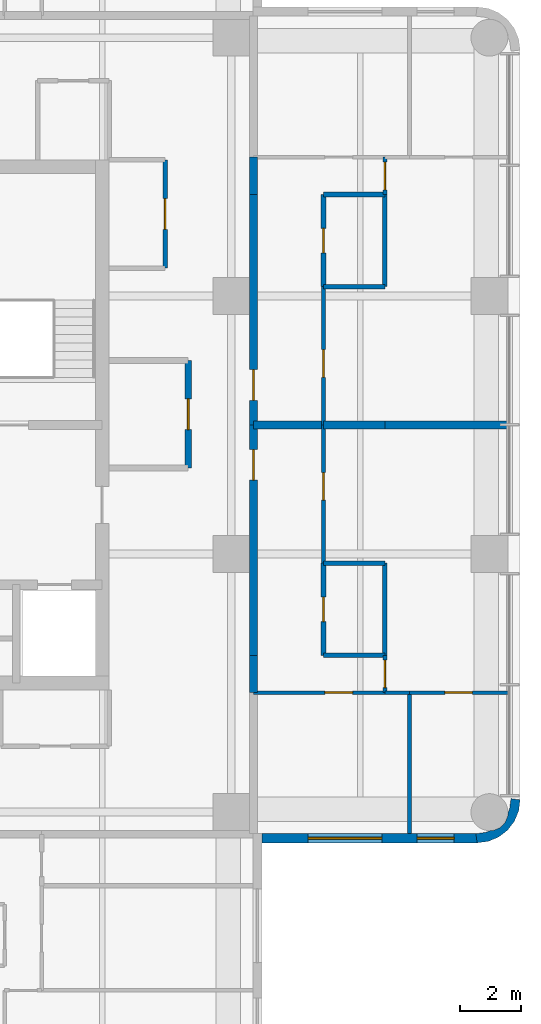
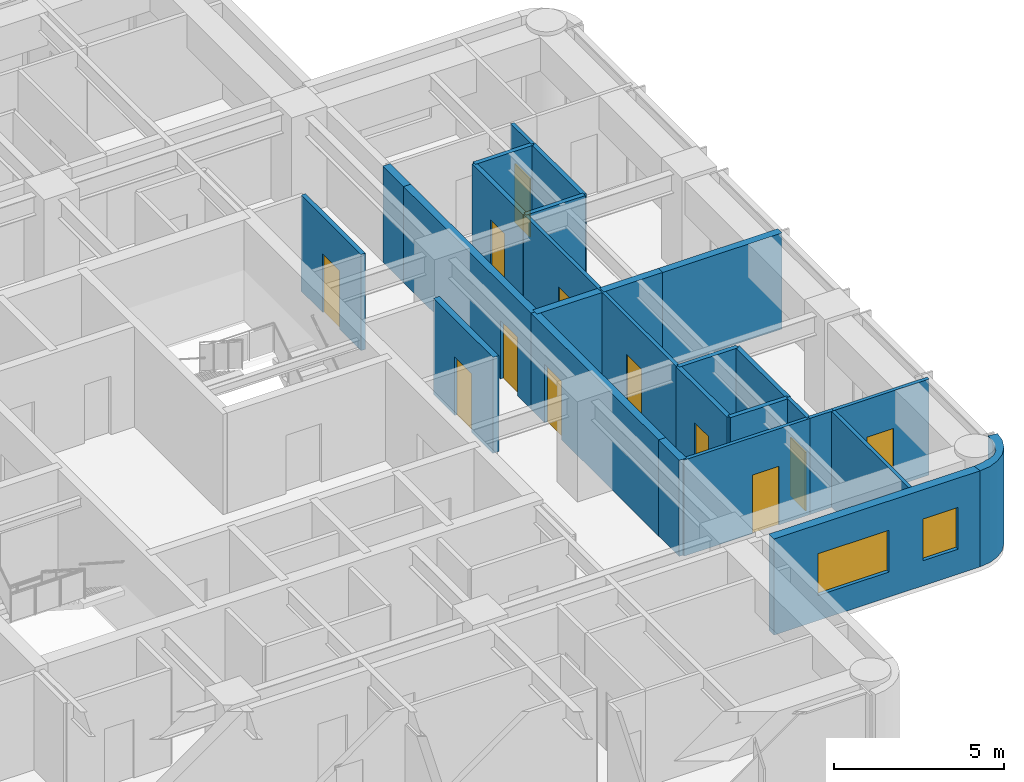
# One storey, part 7 of 10: 27 walls, 12 doors, 2 windows, 14 openings.
"""IFC4 building model written with IfcOpenShell, lengths in metres."""

from ifc_helpers import new_model, si_unit, direction, frame, frame_2d, origin, place, context, subcontext, project, spatial, polyline, rectangle, outline, extrude, material, layer, layer_set, type_object, element, fill, save


model = new_model("IFC4")

# Units and contexts
model_context = context("Model", 3, precision=1e-05, world=origin(), true_north=direction((0.0, 1.0)))
body_context = subcontext(model_context, "Body", "Model", "MODEL_VIEW")
ifc_project = project(units=[si_unit("LENGTHUNIT", "METRE"), si_unit("AREAUNIT", "SQUARE_METRE"), si_unit("VOLUMEUNIT", "CUBIC_METRE"), si_unit("PLANEANGLEUNIT", "RADIAN"), si_unit("MASSUNIT", "GRAM", prefix="KILO")], contexts=[model_context])

# Site, building, storey
site_placement = place(None, origin())
site = spatial("IfcSite", under=ifc_project, at=site_placement, CompositionType="ELEMENT")
building_placement = place(site_placement, origin())
building = spatial("IfcBuilding", under=site, at=building_placement, Name="Torre Alcanfor", CompositionType="ELEMENT")
storey_placement = place(building_placement, frame((0.0, 0.0, 293.699951171875)))
storey = spatial("IfcBuildingStorey", under=building, at=storey_placement, Name="L77", CompositionType="ELEMENT", Elevation=293.699951171875)

# Wall, opening, door
ifc_material_1 = material(Name="Concrete block masonry, hollow blocks NMX-C-404 9 MPa", Category="masonry")
ifc_layer_1 = layer(ifc_material_1, 0.25)
ifc_layer_set_1 = layer_set([ifc_layer_1], Name="Apartment entrance wall 250 EI 60")
wall_type_1 = type_object("IfcWallType", Name="Apartment entrance wall 250 EI 60", PredefinedType="PARTITIONING", material=ifc_layer_set_1)
wall_1_placement = place(storey_placement, frame((42.72509765625, 36.89990234375, 0.0), z_axis=(0.0, 0.0, 1.0), x_axis=(0.0, -1.0, 0.0)))
wall_1 = element("IfcWall", 1, at=wall_1_placement, inside=storey, type_object=wall_type_1, Name="Partition L77-CORR / L77-E1-ZAG", PredefinedType="PARTITIONING", context=body_context, shape_type="SweptSolid", body=[
    extrude(rectangle(XDim=7.5, YDim=0.25, at=frame_2d((3.75, 0.0))), origin(), (0.0, 0.0, 1.0), 3.449951171875),
])
opening_1_placement = place(wall_1_placement, frame((5.699951171875, 0.0, 0.0)))
opening_1 = element("IfcOpeningElement", 2, at=opening_1_placement, cuts=wall_1, Name="Opening D-A1", PredefinedType="OPENING", context=body_context, shape_type="SweptSolid", body=[
    extrude(rectangle(XDim=1.0, YDim=2.10009765625, at=frame_2d((0.5, 1.050048828125))), frame((0.0, 0.135009765625, 0.0), z_axis=(0.0, -1.0, 0.0), x_axis=(1.0, 0.0, 0.0)), (0.0, 0.0, 1.0), 0.27001953125),
])
ifc_material_2 = material(Name="Galvanised steel sheet ASTM A653", Category="steel")
door_type_1 = type_object("IfcDoorType", Name="Apartment entrance door FD60 1000x2100", OperationType="SINGLE_SWING_LEFT", PredefinedType="DOOR", material=ifc_material_2)
door_1_placement = place(opening_1_placement, origin())
door_1 = element("IfcDoor", 3, at=door_1_placement, inside=storey, type_object=door_type_1, Name="Apartment entrance L77-E1", OperationType="SINGLE_SWING_RIGHT", OverallHeight=2.10009765625, OverallWidth=1.0, PredefinedType="DOOR", context=body_context, shape_type="SweptSolid", body=[
    extrude(rectangle(XDim=1.0, YDim=2.10009765625, at=frame_2d((0.5, 1.050048828125))), frame((0.0, 0.02490234375, 0.0), z_axis=(0.0, -1.0, 0.0), x_axis=(1.0, 0.0, 0.0)), (0.0, 0.0, 1.0), 0.050048828125),
])
fill(opening_1, door_1)

# Wall
wall_2_placement = place(storey_placement, frame((42.72509765625, 38.114013671875, 0.0), z_axis=(0.0, 0.0, 1.0), x_axis=(0.0, -1.0, 0.0)))
element("IfcWall", 4, at=wall_2_placement, inside=storey, type_object=wall_type_1, Name="Partition L77-CORR / L77-E1-HALL", PredefinedType="PARTITIONING", context=body_context, shape_type="SweptSolid", body=[
    extrude(rectangle(XDim=1.214111328125, YDim=0.25, at=frame_2d((0.60693359375, 0.0))), origin(), (0.0, 0.0, 1.0), 3.449951171875),
])

# Wall, opening, door
wall_3_placement = place(storey_placement, frame((42.72509765625, 29.39990234375, 0.0), z_axis=(0.0, 0.0, 1.0), x_axis=(0.0, -1.0, 0.0)))
wall_3 = element("IfcWall", 5, at=wall_3_placement, inside=storey, type_object=wall_type_1, Name="Partition L77-CORR / L77-E2-ZAG", PredefinedType="PARTITIONING", context=body_context, shape_type="SweptSolid", body=[
    extrude(rectangle(XDim=7.5, YDim=0.25, at=frame_2d((3.75, 0.0))), origin(), (0.0, 0.0, 1.0), 3.449951171875),
])
opening_2_placement = place(wall_3_placement, frame((0.800048828125, 0.0, 0.0)))
opening_2 = element("IfcOpeningElement", 6, at=opening_2_placement, cuts=wall_3, Name="Opening D-A1", PredefinedType="OPENING", context=body_context, shape_type="SweptSolid", body=[
    extrude(rectangle(XDim=1.0, YDim=2.10009765625, at=frame_2d((0.5, 1.050048828125))), frame((0.0, 0.135009765625, 0.0), z_axis=(0.0, -1.0, 0.0), x_axis=(1.0, 0.0, 0.0)), (0.0, 0.0, 1.0), 0.27001953125),
])
door_2_placement = place(opening_2_placement, origin())
door_2 = element("IfcDoor", 7, at=door_2_placement, inside=storey, type_object=door_type_1, Name="Apartment entrance L77-E2", OperationType="SINGLE_SWING_LEFT", OverallHeight=2.10009765625, OverallWidth=1.0, PredefinedType="DOOR", context=body_context, shape_type="SweptSolid", body=[
    extrude(rectangle(XDim=1.0, YDim=2.10009765625, at=frame_2d((0.5, 1.050048828125))), frame((0.0, 0.02490234375, 0.0), z_axis=(0.0, -1.0, 0.0), x_axis=(1.0, 0.0, 0.0)), (0.0, 0.0, 1.0), 0.050048828125),
])
fill(opening_2, door_2)

# Wall
wall_4_placement = place(storey_placement, frame((42.72509765625, 21.89990234375, 0.0), z_axis=(0.0, 0.0, 1.0), x_axis=(0.0, -1.0, 0.0)))
element("IfcWall", 8, at=wall_4_placement, inside=storey, type_object=wall_type_1, Name="Partition L77-CORR / L77-E2-HALL", PredefinedType="PARTITIONING", context=body_context, shape_type="SweptSolid", body=[
    extrude(rectangle(XDim=1.2138671875, YDim=0.25, at=frame_2d((0.60693359375, 0.0))), origin(), (0.0, 0.0, 1.0), 3.449951171875),
])

# Wall, opening, door
ifc_material_3 = material(Name="Gypsum board on steel studs", Category="steel")
ifc_layer_2 = layer(ifc_material_3, 0.1201171875)
ifc_layer_set_2 = layer_set([ifc_layer_2], Name="Apartment partition 120")
wall_type_2 = type_object("IfcWallType", Name="Apartment partition 120", PredefinedType="PARTITIONING", material=ifc_layer_set_2)
wall_5_placement = place(storey_placement, frame((45.0, 29.39990234375, 0.0), z_axis=(0.0, 0.0, 1.0), x_axis=(0.0, 1.0, 0.0)))
wall_5 = element("IfcWall", 9, at=wall_5_placement, inside=storey, type_object=wall_type_2, Name="Partition L77-E1-ZAG / L77-E1-KITCHEN", PredefinedType="PARTITIONING", context=body_context, shape_type="SweptSolid", body=[
    extrude(rectangle(XDim=4.5, YDim=0.1201171875, at=frame_2d((2.25, 0.0))), origin(), (0.0, 0.0, 1.0), 3.449951171875),
])
opening_3_placement = place(wall_5_placement, frame((1.550048828125, 0.0, 0.0)))
opening_3 = element("IfcOpeningElement", 10, at=opening_3_placement, cuts=wall_5, Name="Opening D-R1", PredefinedType="OPENING", context=body_context, shape_type="SweptSolid", body=[
    extrude(rectangle(XDim=0.89990234375, YDim=2.10009765625, at=frame_2d((0.449951171875, 1.050048828125))), frame((0.0, 0.070068359375, 0.0), z_axis=(0.0, -1.0, 0.0), x_axis=(1.0, 0.0, 0.0)), (0.0, 0.0, 1.0), 0.14013671875),
])
ifc_material_4 = material(Name="Timber", Category="wood")
door_type_2 = type_object("IfcDoorType", Name="Internal door 900x2100", OperationType="SINGLE_SWING_LEFT", PredefinedType="DOOR", material=ifc_material_4)
door_3_placement = place(opening_3_placement, frame((0.89990234375, 0.0, 0.0), z_axis=(0.0, 0.0, 1.0), x_axis=(-1.0, 0.0, 0.0)))
door_3 = element("IfcDoor", 11, at=door_3_placement, inside=storey, type_object=door_type_2, Name="Door L77-E1 kitchen", OperationType="SINGLE_SWING_RIGHT", OverallHeight=2.10009765625, OverallWidth=0.89990234375, PredefinedType="DOOR", context=body_context, shape_type="SweptSolid", body=[
    extrude(rectangle(XDim=0.89990234375, YDim=2.10009765625, at=frame_2d((0.449951171875, 1.050048828125))), frame((0.0, 0.025146484375, 0.0), z_axis=(0.0, -1.0, 0.0), x_axis=(1.0, 0.0, 0.0)), (0.0, 0.0, 1.0), 0.050048828125),
])
fill(opening_3, door_3)

wall_6_placement = place(storey_placement, frame((47.0, 36.89990234375, 0.0), z_axis=(0.0, 0.0, 1.0), x_axis=(0.0, 1.0, 0.0)))
wall_6 = element("IfcWall", 12, at=wall_6_placement, inside=storey, type_object=wall_type_2, Name="Partition L77-E1-HALL / L77-E1-LIVING", PredefinedType="PARTITIONING", context=body_context, shape_type="SweptSolid", body=[
    extrude(rectangle(XDim=1.214111328125, YDim=0.1201171875, at=frame_2d((0.60693359375, 0.0))), origin(), (0.0, 0.0, 1.0), 3.449951171875),
])
opening_4_placement = place(wall_6_placement, frame((0.14990234375, 0.0, 0.0)))
opening_4 = element("IfcOpeningElement", 13, at=opening_4_placement, cuts=wall_6, Name="Opening D-R1", PredefinedType="OPENING", context=body_context, shape_type="SweptSolid", body=[
    extrude(rectangle(XDim=0.89990234375, YDim=2.10009765625, at=frame_2d((0.449951171875, 1.050048828125))), frame((0.0, 0.070068359375, 0.0), z_axis=(0.0, -1.0, 0.0), x_axis=(1.0, 0.0, 0.0)), (0.0, 0.0, 1.0), 0.14013671875),
])
door_4_placement = place(opening_4_placement, frame((0.89990234375, 0.0, 0.0), z_axis=(0.0, 0.0, 1.0), x_axis=(-1.0, 0.0, 0.0)))
door_4 = element("IfcDoor", 14, at=door_4_placement, inside=storey, type_object=door_type_2, Name="Door L77-E1 living", OperationType="SINGLE_SWING_LEFT", OverallHeight=2.10009765625, OverallWidth=0.89990234375, PredefinedType="DOOR", context=body_context, shape_type="SweptSolid", body=[
    extrude(rectangle(XDim=0.89990234375, YDim=2.10009765625, at=frame_2d((0.449951171875, 1.050048828125))), frame((0.0, 0.025146484375, 0.0), z_axis=(0.0, -1.0, 0.0), x_axis=(1.0, 0.0, 0.0)), (0.0, 0.0, 1.0), 0.050048828125),
])
fill(opening_4, door_4)

wall_7_placement = place(storey_placement, frame((45.0, 29.39990234375, 0.0), z_axis=(0.0, 0.0, 1.0), x_axis=(0.0, -1.0, 0.0)))
wall_7 = element("IfcWall", 15, at=wall_7_placement, inside=storey, type_object=wall_type_2, Name="Partition L77-E2-ZAG / L77-E2-KITCHEN", PredefinedType="PARTITIONING", context=body_context, shape_type="SweptSolid", body=[
    extrude(rectangle(XDim=4.5, YDim=0.1201171875, at=frame_2d((2.25, 0.0))), origin(), (0.0, 0.0, 1.0), 3.449951171875),
])
opening_5_placement = place(wall_7_placement, frame((1.550048828125, 0.0, 0.0)))
opening_5 = element("IfcOpeningElement", 16, at=opening_5_placement, cuts=wall_7, Name="Opening D-R1", PredefinedType="OPENING", context=body_context, shape_type="SweptSolid", body=[
    extrude(rectangle(XDim=0.89990234375, YDim=2.10009765625, at=frame_2d((0.449951171875, 1.050048828125))), frame((0.0, 0.070068359375, 0.0), z_axis=(0.0, -1.0, 0.0), x_axis=(1.0, 0.0, 0.0)), (0.0, 0.0, 1.0), 0.14013671875),
])
door_5_placement = place(opening_5_placement, origin())
door_5 = element("IfcDoor", 17, at=door_5_placement, inside=storey, type_object=door_type_2, Name="Door L77-E2 kitchen", OperationType="SINGLE_SWING_LEFT", OverallHeight=2.10009765625, OverallWidth=0.89990234375, PredefinedType="DOOR", context=body_context, shape_type="SweptSolid", body=[
    extrude(rectangle(XDim=0.89990234375, YDim=2.10009765625, at=frame_2d((0.449951171875, 1.050048828125))), frame((0.0, 0.02490234375, 0.0), z_axis=(0.0, -1.0, 0.0), x_axis=(1.0, 0.0, 0.0)), (0.0, 0.0, 1.0), 0.050048828125),
])
fill(opening_5, door_5)

wall_8_placement = place(storey_placement, frame((47.0, 21.89990234375, 0.0), z_axis=(0.0, 0.0, 1.0), x_axis=(0.0, -1.0, 0.0)))
wall_8 = element("IfcWall", 18, at=wall_8_placement, inside=storey, type_object=wall_type_2, Name="Partition L77-E2-HALL / L77-E2-LIVING", PredefinedType="PARTITIONING", context=body_context, shape_type="SweptSolid", body=[
    extrude(rectangle(XDim=1.2138671875, YDim=0.1201171875, at=frame_2d((0.60693359375, 0.0))), origin(), (0.0, 0.0, 1.0), 3.449951171875),
])
opening_6_placement = place(wall_8_placement, frame((0.14990234375, 0.0, 0.0)))
opening_6 = element("IfcOpeningElement", 19, at=opening_6_placement, cuts=wall_8, Name="Opening D-R1", PredefinedType="OPENING", context=body_context, shape_type="SweptSolid", body=[
    extrude(rectangle(XDim=0.89990234375, YDim=2.10009765625, at=frame_2d((0.449951171875, 1.050048828125))), frame((0.0, 0.070068359375, 0.0), z_axis=(0.0, -1.0, 0.0), x_axis=(1.0, 0.0, 0.0)), (0.0, 0.0, 1.0), 0.14013671875),
])
door_6_placement = place(opening_6_placement, origin())
door_6 = element("IfcDoor", 20, at=door_6_placement, inside=storey, type_object=door_type_2, Name="Door L77-E2 living", OperationType="SINGLE_SWING_RIGHT", OverallHeight=2.10009765625, OverallWidth=0.89990234375, PredefinedType="DOOR", context=body_context, shape_type="SweptSolid", body=[
    extrude(rectangle(XDim=0.89990234375, YDim=2.10009765625, at=frame_2d((0.449951171875, 1.050048828125))), frame((0.0, 0.02490234375, 0.0), z_axis=(0.0, -1.0, 0.0), x_axis=(1.0, 0.0, 0.0)), (0.0, 0.0, 1.0), 0.050048828125),
])
fill(opening_6, door_6)

wall_9_placement = place(storey_placement, frame((47.0, 20.68603515625, 0.0), z_axis=(0.0, 0.0, 1.0), x_axis=(-1.0, 0.0, 0.0)))
wall_9 = element("IfcWall", 21, at=wall_9_placement, inside=storey, type_object=wall_type_2, Name="Partition L77-E2-HALL / L77-E2-MASTER", PredefinedType="PARTITIONING", context=body_context, shape_type="SweptSolid", body=[
    extrude(rectangle(XDim=4.27490234375, YDim=0.1201171875, at=frame_2d((2.137451171875, 0.0))), origin(), (0.0, 0.0, 1.0), 3.449951171875),
])
opening_7_placement = place(wall_9_placement, frame((1.050048828125, 0.0, 0.0)))
opening_7 = element("IfcOpeningElement", 22, at=opening_7_placement, cuts=wall_9, Name="Opening D-R1", PredefinedType="OPENING", context=body_context, shape_type="SweptSolid", body=[
    extrude(rectangle(XDim=0.89990234375, YDim=2.10009765625, at=frame_2d((0.449951171875, 1.050048828125))), frame((0.0, 0.070068359375, 0.0), z_axis=(0.0, -1.0, 0.0), x_axis=(1.0, 0.0, 0.0)), (0.0, 0.0, 1.0), 0.14013671875),
])
door_7_placement = place(opening_7_placement, origin())
door_7 = element("IfcDoor", 23, at=door_7_placement, inside=storey, type_object=door_type_2, Name="Door L77-E2 master", OperationType="SINGLE_SWING_LEFT", OverallHeight=2.10009765625, OverallWidth=0.89990234375, PredefinedType="DOOR", context=body_context, shape_type="SweptSolid", body=[
    extrude(rectangle(XDim=0.89990234375, YDim=2.10009765625, at=frame_2d((0.449951171875, 1.050048828125))), frame((0.0, 0.02490234375, 0.0), z_axis=(0.0, -1.0, 0.0), x_axis=(1.0, 0.0, 0.0)), (0.0, 0.0, 1.0), 0.050048828125),
])
fill(opening_7, door_7)

# Wall
wall_10_placement = place(storey_placement, frame((47.800048828125, 20.68603515625, 0.0), z_axis=(0.0, 0.0, 1.0), x_axis=(-1.0, 0.0, 0.0)))
element("IfcWall", 24, at=wall_10_placement, inside=storey, type_object=wall_type_2, Name="Partition L77-E2-LIVING / L77-E2-MASTER", PredefinedType="PARTITIONING", context=body_context, shape_type="SweptSolid", body=[
    extrude(rectangle(XDim=0.800048828125, YDim=0.1201171875, at=frame_2d((0.39990234375, 0.0))), origin(), (0.0, 0.0, 1.0), 3.449951171875),
])

# Wall, opening, door
wall_11_placement = place(storey_placement, frame((51.050048828125, 20.68603515625, 0.0), z_axis=(0.0, 0.0, 1.0), x_axis=(-1.0, 0.0, 0.0)))
wall_11 = element("IfcWall", 25, at=wall_11_placement, inside=storey, type_object=wall_type_2, Name="Partition L77-E2-LIVING / L77-E2-BED2", PredefinedType="PARTITIONING", context=body_context, shape_type="SweptSolid", body=[
    extrude(rectangle(XDim=3.25, YDim=0.1201171875, at=frame_2d((1.625, 0.0))), origin(), (0.0, 0.0, 1.0), 3.449951171875),
])
opening_8_placement = place(wall_11_placement, frame((1.199951171875, 0.0, 0.0)))
opening_8 = element("IfcOpeningElement", 26, at=opening_8_placement, cuts=wall_11, Name="Opening D-R1", PredefinedType="OPENING", context=body_context, shape_type="SweptSolid", body=[
    extrude(rectangle(XDim=0.89990234375, YDim=2.10009765625, at=frame_2d((0.449951171875, 1.050048828125))), frame((0.0, 0.070068359375, 0.0), z_axis=(0.0, -1.0, 0.0), x_axis=(1.0, 0.0, 0.0)), (0.0, 0.0, 1.0), 0.14013671875),
])
door_8_placement = place(opening_8_placement, origin())
door_8 = element("IfcDoor", 27, at=door_8_placement, inside=storey, type_object=door_type_2, Name="Door L77-E2 bed2", OperationType="SINGLE_SWING_RIGHT", OverallHeight=2.10009765625, OverallWidth=0.89990234375, PredefinedType="DOOR", context=body_context, shape_type="SweptSolid", body=[
    extrude(rectangle(XDim=0.89990234375, YDim=2.10009765625, at=frame_2d((0.449951171875, 1.050048828125))), frame((0.0, 0.02490234375, 0.0), z_axis=(0.0, -1.0, 0.0), x_axis=(1.0, 0.0, 0.0)), (0.0, 0.0, 1.0), 0.050048828125),
])
fill(opening_8, door_8)

# Wall
wall_12_placement = place(storey_placement, frame((47.800048828125, 20.68603515625, 0.0), z_axis=(0.0, 0.0, 1.0), x_axis=(0.0, -1.0, 0.0)))
element("IfcWall", 28, at=wall_12_placement, inside=storey, type_object=wall_type_2, Name="Partition L77-E2-MASTER / L77-E2-BED2", PredefinedType="PARTITIONING", context=body_context, shape_type="SweptSolid", body=[
    extrude(rectangle(XDim=4.5859375, YDim=0.1201171875, at=frame_2d((2.29296875, 0.0))), origin(), (0.0, 0.0, 1.0), 3.449951171875),
])

# Wall, openings, windows
ifc_material_5 = material(Name="Limestone cladding", Category="masonry")
ifc_layer_3 = layer(ifc_material_5, 0.0400390625, Name="Facing")
ifc_material_6 = material(Name="Ventilated air cavity")
ifc_layer_4 = layer(ifc_material_6, 0.02001953125, ventilated=True, Name="Ventilated joint")
ifc_material_7 = material(Name="Mineral wool insulation", Category="insulation")
ifc_layer_5 = layer(ifc_material_7, 0.10009765625, Name="Insulation")
ifc_material_8 = material(Name="Concrete f'c 35 MPa", Category="concrete")
ifc_layer_6 = layer(ifc_material_8, 0.139892578125, Name="Backing")
ifc_layer_set_3 = layer_set([ifc_layer_3, ifc_layer_4, ifc_layer_5, ifc_layer_6], Name="External wall stone-clad 300")
wall_type_3 = type_object("IfcWallType", Name="External wall stone-clad 300", PredefinedType="SOLIDWALL", material=ifc_layer_set_3)
wall_13_placement = place(storey_placement, frame((43.0, 15.949951171875, 0.0), z_axis=(0.0, 0.0, 1.0), x_axis=(1.0, 0.0, 0.0)))
wall_13 = element("IfcWall", 29, at=wall_13_placement, inside=storey, type_object=wall_type_3, Name="External wall L77 7", PredefinedType="SOLIDWALL", context=body_context, shape_type="SweptSolid", body=[
    extrude(rectangle(XDim=7.0, YDim=0.300048828125, at=frame_2d((3.5, 0.0))), origin(), (0.0, 0.0, 1.0), 3.449951171875),
])
opening_9_placement = place(wall_13_placement, frame((1.5, 0.0, 0.89990234375)))
opening_9 = element("IfcOpeningElement", 30, at=opening_9_placement, cuts=wall_13, Name="Opening W1", PredefinedType="OPENING", context=body_context, shape_type="SweptSolid", body=[
    extrude(rectangle(XDim=2.39990234375, YDim=1.5, at=frame_2d((1.199951171875, 0.75))), frame((0.0, 0.159912109375, 0.0), z_axis=(0.0, -1.0, 0.0), x_axis=(1.0, 0.0, 0.0)), (0.0, 0.0, 1.0), 0.320068359375),
])
opening_10_placement = place(wall_13_placement, frame((5.050048828125, 0.0, 0.89990234375)))
opening_10 = element("IfcOpeningElement", 31, at=opening_10_placement, cuts=wall_13, Name="Opening W4", PredefinedType="OPENING", context=body_context, shape_type="SweptSolid", body=[
    extrude(rectangle(XDim=1.199951171875, YDim=1.5, at=frame_2d((0.60009765625, 0.75))), frame((0.0, 0.159912109375, 0.0), z_axis=(0.0, -1.0, 0.0), x_axis=(1.0, 0.0, 0.0)), (0.0, 0.0, 1.0), 0.320068359375),
])
ifc_material_9 = material(Name="Aluminium frame with clear double glazing", Category="aluminium")
window_type_1 = type_object("IfcWindowType", Name="Window bedroom 1200x1500", PartitioningType="SINGLE_PANEL", PredefinedType="WINDOW", material=ifc_material_9)
window_1_placement = place(opening_10_placement, origin())
window_1 = element("IfcWindow", 32, at=window_1_placement, inside=storey, type_object=window_type_1, Name="Window W4 L77-E2", OverallHeight=1.5, OverallWidth=1.199951171875, PartitioningType="SINGLE_PANEL", PredefinedType="WINDOW", context=body_context, shape_type="SweptSolid", body=[
    extrude(rectangle(XDim=1.199951171875, YDim=1.5, at=frame_2d((0.60009765625, 0.75))), frame((0.0, 0.030029296875, 0.0), z_axis=(0.0, -1.0, 0.0), x_axis=(1.0, 0.0, 0.0)), (0.0, 0.0, 1.0), 0.06005859375),
])
fill(opening_10, window_1)
ifc_material_10 = material(Name="Aluminium frame with clear double glazing", Category="aluminium")
window_type_2 = type_object("IfcWindowType", Name="Window bedroom 2400x1500", PartitioningType="SINGLE_PANEL", PredefinedType="WINDOW", material=ifc_material_10)
window_2_placement = place(opening_9_placement, origin())
window_2 = element("IfcWindow", 33, at=window_2_placement, inside=storey, type_object=window_type_2, Name="Window W1 L77-E2", OverallHeight=1.5, OverallWidth=2.39990234375, PartitioningType="SINGLE_PANEL", PredefinedType="WINDOW", context=body_context, shape_type="SweptSolid", body=[
    extrude(rectangle(XDim=2.39990234375, YDim=1.5, at=frame_2d((1.199951171875, 0.75))), frame((0.0, 0.030029296875, 0.0), z_axis=(0.0, -1.0, 0.0), x_axis=(1.0, 0.0, 0.0)), (0.0, 0.0, 1.0), 0.06005859375),
])
fill(opening_9, window_2)

# Walls
ifc_material_11 = material(Name="Concrete block masonry, hollow blocks NMX-C-404 9 MPa", Category="masonry")
ifc_layer_7 = layer(ifc_material_11, 0.25)
ifc_layer_set_4 = layer_set([ifc_layer_7], Name="Party wall 250 EI 60")
wall_type_4 = type_object("IfcWallType", Name="Party wall 250 EI 60", PredefinedType="PARTITIONING", material=ifc_layer_set_4)
wall_14_placement = place(storey_placement, frame((42.72509765625, 29.39990234375, 0.0), z_axis=(0.0, 0.0, 1.0), x_axis=(1.0, 0.0, 0.0)))
element("IfcWall", 34, at=wall_14_placement, inside=storey, type_object=wall_type_4, Name="Partition L77-E1-ZAG / L77-E2-ZAG", PredefinedType="PARTITIONING", context=body_context, shape_type="SweptSolid", body=[
    extrude(rectangle(XDim=2.27490234375, YDim=0.25, at=frame_2d((1.137451171875, 0.0))), origin(), (0.0, 0.0, 1.0), 3.449951171875),
])
wall_15_placement = place(storey_placement, frame((45.0, 29.39990234375, 0.0), z_axis=(0.0, 0.0, 1.0), x_axis=(1.0, 0.0, 0.0)))
element("IfcWall", 35, at=wall_15_placement, inside=storey, type_object=wall_type_4, Name="Partition L77-E1-KITCHEN / L77-E2-KITCHEN", PredefinedType="PARTITIONING", context=body_context, shape_type="SweptSolid", body=[
    extrude(rectangle(XDim=2.0, YDim=0.25, at=frame_2d((1.0, 0.0))), origin(), (0.0, 0.0, 1.0), 3.449951171875),
])
wall_16_placement = place(storey_placement, frame((47.0, 29.39990234375, 0.0), z_axis=(0.0, 0.0, 1.0), x_axis=(1.0, 0.0, 0.0)))
element("IfcWall", 36, at=wall_16_placement, inside=storey, type_object=wall_type_4, Name="Partition L77-E1-LIVING / L77-E2-LIVING", PredefinedType="PARTITIONING", context=body_context, shape_type="SweptSolid", body=[
    extrude(rectangle(XDim=4.050048828125, YDim=0.25, at=frame_2d((2.02490234375, 0.0))), origin(), (0.0, 0.0, 1.0), 3.449951171875),
])

# Wall, opening, door
ifc_material_12 = material(Name="Concrete block masonry, hollow blocks NMX-C-404 9 MPa", Category="masonry")
ifc_layer_8 = layer(ifc_material_12, 0.199951171875)
ifc_layer_set_5 = layer_set([ifc_layer_8], Name="Plant room wall 200 EI 60")
wall_type_5 = type_object("IfcWallType", Name="Plant room wall 200 EI 60", PredefinedType="PARTITIONING", material=ifc_layer_set_5)
wall_17_placement = place(storey_placement, frame((40.60009765625, 28.0, 0.0), z_axis=(0.0, 0.0, 1.0), x_axis=(0.0, 1.0, 0.0)))
wall_17 = element("IfcWall", 37, at=wall_17_placement, inside=storey, type_object=wall_type_5, Name="Partition L77-CORR / L77-G03", PredefinedType="PARTITIONING", context=body_context, shape_type="SweptSolid", body=[
    extrude(rectangle(XDim=3.5, YDim=0.199951171875, at=frame_2d((1.75, 0.0))), origin(), (0.0, 0.0, 1.0), 3.449951171875),
])
opening_11_placement = place(wall_17_placement, frame((1.25, 0.0, 0.0)))
opening_11 = element("IfcOpeningElement", 38, at=opening_11_placement, cuts=wall_17, Name="Opening D-K1", PredefinedType="OPENING", context=body_context, shape_type="SweptSolid", body=[
    extrude(rectangle(XDim=1.0, YDim=2.10009765625, at=frame_2d((0.5, 1.050048828125))), frame((0.0, 0.10986328125, 0.0), z_axis=(0.0, -1.0, 0.0), x_axis=(1.0, 0.0, 0.0)), (0.0, 0.0, 1.0), 0.219970703125),
])
ifc_material_13 = material(Name="Galvanised steel sheet ASTM A653", Category="steel")
door_type_3 = type_object("IfcDoorType", Name="Core room door FD60 1000x2100", OperationType="SINGLE_SWING_LEFT", PredefinedType="DOOR", material=ifc_material_13)
door_9_placement = place(opening_11_placement, origin())
door_9 = element("IfcDoor", 39, at=door_9_placement, inside=storey, type_object=door_type_3, Name="Door L77-G03 refuse and recycling store", OperationType="SINGLE_SWING_LEFT", OverallHeight=2.10009765625, OverallWidth=1.0, PredefinedType="DOOR", context=body_context, shape_type="SweptSolid", body=[
    extrude(rectangle(XDim=1.0, YDim=2.10009765625, at=frame_2d((0.5, 1.050048828125))), frame((0.0, 0.02490234375, 0.0), z_axis=(0.0, -1.0, 0.0), x_axis=(1.0, 0.0, 0.0)), (0.0, 0.0, 1.0), 0.050048828125),
])
fill(opening_11, door_9)

ifc_material_14 = material(Name="Concrete block masonry, hollow blocks NMX-C-404 9 MPa", Category="masonry")
ifc_layer_9 = layer(ifc_material_14, 0.14990234375)
ifc_layer_set_6 = layer_set([ifc_layer_9], Name="Residents' room partition 150")
wall_type_6 = type_object("IfcWallType", Name="Residents' room partition 150", PredefinedType="PARTITIONING", material=ifc_layer_set_6)
wall_18_placement = place(storey_placement, frame((39.85009765625, 34.5, 0.0), z_axis=(0.0, 0.0, 1.0), x_axis=(0.0, 1.0, 0.0)))
wall_18 = element("IfcWall", 40, at=wall_18_placement, inside=storey, type_object=wall_type_6, Name="Partition L77-CORR / L77-G04", PredefinedType="PARTITIONING", context=body_context, shape_type="SweptSolid", body=[
    extrude(rectangle(XDim=3.52490234375, YDim=0.14990234375, at=frame_2d((1.762451171875, 0.0))), origin(), (0.0, 0.0, 1.0), 3.449951171875),
])
opening_12_placement = place(wall_18_placement, frame((1.262451171875, 0.0, 0.0)))
opening_12 = element("IfcOpeningElement", 41, at=opening_12_placement, cuts=wall_18, Name="Opening D-M1", PredefinedType="OPENING", context=body_context, shape_type="SweptSolid", body=[
    extrude(rectangle(XDim=1.0, YDim=2.10009765625, at=frame_2d((0.5, 1.050048828125))), frame((0.0, 0.0849609375, 0.0), z_axis=(0.0, -1.0, 0.0), x_axis=(1.0, 0.0, 0.0)), (0.0, 0.0, 1.0), 0.169921875),
])
ifc_material_15 = material(Name="Timber", Category="wood")
door_type_4 = type_object("IfcDoorType", Name="Residents' room door 1000x2100", OperationType="SINGLE_SWING_LEFT", PredefinedType="DOOR", material=ifc_material_15)
door_10_placement = place(opening_12_placement, origin())
door_10 = element("IfcDoor", 42, at=door_10_placement, inside=storey, type_object=door_type_4, Name="Door L77-G04 parcel room", OperationType="SINGLE_SWING_LEFT", OverallHeight=2.10009765625, OverallWidth=1.0, PredefinedType="DOOR", context=body_context, shape_type="SweptSolid", body=[
    extrude(rectangle(XDim=1.0, YDim=2.10009765625, at=frame_2d((0.5, 1.050048828125))), frame((0.0, 0.02490234375, 0.0), z_axis=(0.0, -1.0, 0.0), x_axis=(1.0, 0.0, 0.0)), (0.0, 0.0, 1.0), 0.050048828125),
])
fill(opening_12, door_10)

# Wall
ifc_layer_10 = layer(ifc_material_5, 0.0400390625, Name="Facing")
ifc_layer_11 = layer(ifc_material_6, 0.02001953125, ventilated=True, Name="Ventilated joint")
ifc_layer_12 = layer(ifc_material_7, 0.10009765625, Name="Insulation")
ifc_layer_13 = layer(ifc_material_8, 0.139892578125, Name="Backing")
ifc_layer_set_7 = layer_set([ifc_layer_10, ifc_layer_11, ifc_layer_12, ifc_layer_13], Name="Rounded corner pier stone-clad 300")
wall_type_7 = type_object("IfcWallType", Name="Rounded corner pier stone-clad 300", PredefinedType="SOLIDWALL", material=ifc_layer_set_7)
wall_19_placement = place(storey_placement, frame((50.038418254, 16.224101883, 0.0), z_axis=(0.0, 0.0, 1.0), x_axis=(0.707106781187, -0.707106781187, 0.0)))
element("IfcWall", 43, at=wall_19_placement, inside=storey, type_object=wall_type_7, Name="Corner pier L77 17", PredefinedType="SOLIDWALL", context=body_context, shape_type="SweptSolid", body=[
    extrude(outline(polyline([(0.046707742385922124, 1.454733667168189), (0.23315191320659384, 1.2116657111353133), (0.29219256729980647, 1.0690704471557995), (0.35796592756154344, 1.0032970868940625), (0.44928904456537255, 0.782498851264767), (0.44946167805687315, 0.5434014655364057), (0.3579659275615435, 0.3224305964156095), (0.2921925672998065, 0.25665723615387254), (0.2331519132065938, 0.11406197217435879), (0.046535108894421466, -0.1288333503670163), (0.032551796082871086, -0.14281666317856667), (0.2726849827602362, -0.3270165986097303), (0.495209553304538, -0.03716496638018607), (0.6350426814200417, 0.30050614299503053), (0.6826895250742134, 0.6630364751463366), (0.6350426814200417, 1.0252215403146416), (0.495209553304538, 1.3628926496898581), (0.27268498276023634, 1.6527442819194023), (0.032724429574371716, 1.4687169799797393), (0.046707742385922124, 1.454733667168189)])), origin(), (0.0, 0.0, 1.0), 3.449951171875),
])

# Wall, opening, door
ifc_material_16 = material(Name="Cement board on steel studs", Category="steel")
ifc_layer_14 = layer(ifc_material_16, 0.14990234375)
ifc_layer_set_8 = layer_set([ifc_layer_14], Name="Wet area partition 150")
wall_type_8 = type_object("IfcWallType", Name="Wet area partition 150", PredefinedType="PARTITIONING", material=ifc_layer_set_8)
wall_20_placement = place(storey_placement, frame((45.0, 33.89990234375, 0.0), z_axis=(0.0, 0.0, 1.0), x_axis=(0.0, 1.0, 0.0)))
wall_20 = element("IfcWall", 44, at=wall_20_placement, inside=storey, type_object=wall_type_8, Name="Partition L77-E1-ZAG / L77-E1-BATH", PredefinedType="PARTITIONING", context=body_context, shape_type="SweptSolid", body=[
    extrude(rectangle(XDim=3.0, YDim=0.14990234375, at=frame_2d((1.5, 0.0))), origin(), (0.0, 0.0, 1.0), 3.449951171875),
])
opening_13_placement = place(wall_20_placement, frame((1.10009765625, 0.0, 0.0)))
opening_13 = element("IfcOpeningElement", 45, at=opening_13_placement, cuts=wall_20, Name="Opening D-R2", PredefinedType="OPENING", context=body_context, shape_type="SweptSolid", body=[
    extrude(rectangle(XDim=0.800048828125, YDim=2.10009765625, at=frame_2d((0.39990234375, 1.050048828125))), frame((0.0, 0.0849609375, 0.0), z_axis=(0.0, -1.0, 0.0), x_axis=(1.0, 0.0, 0.0)), (0.0, 0.0, 1.0), 0.169921875),
])
ifc_material_17 = material(Name="Timber", Category="wood")
door_type_5 = type_object("IfcDoorType", Name="Bathroom door 800x2100", OperationType="SINGLE_SWING_LEFT", PredefinedType="DOOR", material=ifc_material_17)
door_11_placement = place(opening_13_placement, frame((0.800048828125, 0.0, 0.0), z_axis=(0.0, 0.0, 1.0), x_axis=(-1.0, 0.0, 0.0)))
door_11 = element("IfcDoor", 46, at=door_11_placement, inside=storey, type_object=door_type_5, Name="Door L77-E1 bath", OperationType="SINGLE_SWING_RIGHT", OverallHeight=2.10009765625, OverallWidth=0.800048828125, PredefinedType="DOOR", context=body_context, shape_type="SweptSolid", body=[
    extrude(rectangle(XDim=0.800048828125, YDim=2.10009765625, at=frame_2d((0.400146484375, 1.050048828125))), frame((0.0, 0.025146484375, 0.0), z_axis=(0.0, -1.0, 0.0), x_axis=(1.0, 0.0, 0.0)), (0.0, 0.0, 1.0), 0.050048828125),
])
fill(opening_13, door_11)

# Walls
for number, where, z_axis, x_axis, name in (
    (47, (47.0, 33.89990234375, 0.0), (0.0, 0.0, 1.0), (-1.0, 0.0, 0.0), "Partition L77-E1-KITCHEN / L77-E1-BATH"),
    (48, (47.0, 36.89990234375, 0.0), (0.0, 0.0, 1.0), (-1.0, 0.0, 0.0), "Partition L77-E1-BATH / L77-E1-HALL"),
):
    element("IfcWall", number, at=place(storey_placement, frame(where, z_axis=z_axis, x_axis=x_axis)), inside=storey, type_object=wall_type_8, Name=name, PredefinedType="PARTITIONING", context=body_context, shape_type="SweptSolid", body=[
        extrude(rectangle(XDim=2.0, YDim=0.14990234375, at=frame_2d((1.0, 0.0))), origin(), (0.0, 0.0, 1.0), 3.449951171875),
    ])
wall_21_placement = place(storey_placement, frame((47.0, 33.89990234375, 0.0), z_axis=(0.0, 0.0, 1.0), x_axis=(0.0, 1.0, 0.0)))
element("IfcWall", 49, at=wall_21_placement, inside=storey, type_object=wall_type_8, Name="Partition L77-E1-BATH / L77-E1-LIVING", PredefinedType="PARTITIONING", context=body_context, shape_type="SweptSolid", body=[
    extrude(rectangle(XDim=3.0, YDim=0.14990234375, at=frame_2d((1.5, 0.0))), origin(), (0.0, 0.0, 1.0), 3.449951171875),
])

# Wall, opening, door
wall_22_placement = place(storey_placement, frame((45.0, 24.89990234375, 0.0), z_axis=(0.0, 0.0, 1.0), x_axis=(0.0, -1.0, 0.0)))
wall_22 = element("IfcWall", 50, at=wall_22_placement, inside=storey, type_object=wall_type_8, Name="Partition L77-E2-ZAG / L77-E2-BATH", PredefinedType="PARTITIONING", context=body_context, shape_type="SweptSolid", body=[
    extrude(rectangle(XDim=3.0, YDim=0.14990234375, at=frame_2d((1.5, 0.0))), origin(), (0.0, 0.0, 1.0), 3.449951171875),
])
opening_14_placement = place(wall_22_placement, frame((1.10009765625, 0.0, 0.0)))
opening_14 = element("IfcOpeningElement", 51, at=opening_14_placement, cuts=wall_22, Name="Opening D-R2", PredefinedType="OPENING", context=body_context, shape_type="SweptSolid", body=[
    extrude(rectangle(XDim=0.800048828125, YDim=2.10009765625, at=frame_2d((0.39990234375, 1.050048828125))), frame((0.0, 0.0849609375, 0.0), z_axis=(0.0, -1.0, 0.0), x_axis=(1.0, 0.0, 0.0)), (0.0, 0.0, 1.0), 0.169921875),
])
door_12_placement = place(opening_14_placement, origin())
door_12 = element("IfcDoor", 52, at=door_12_placement, inside=storey, type_object=door_type_5, Name="Door L77-E2 bath", OperationType="SINGLE_SWING_LEFT", OverallHeight=2.10009765625, OverallWidth=0.800048828125, PredefinedType="DOOR", context=body_context, shape_type="SweptSolid", body=[
    extrude(rectangle(XDim=0.800048828125, YDim=2.10009765625, at=frame_2d((0.39990234375, 1.050048828125))), frame((0.0, 0.02490234375, 0.0), z_axis=(0.0, -1.0, 0.0), x_axis=(1.0, 0.0, 0.0)), (0.0, 0.0, 1.0), 0.050048828125),
])
fill(opening_14, door_12)

# Walls
for number, where, z_axis, x_axis, name in (
    (53, (47.0, 24.89990234375, 0.0), (0.0, 0.0, 1.0), (-1.0, 0.0, 0.0), "Partition L77-E2-KITCHEN / L77-E2-BATH"),
    (54, (47.0, 21.89990234375, 0.0), (0.0, 0.0, 1.0), (-1.0, 0.0, 0.0), "Partition L77-E2-BATH / L77-E2-HALL"),
):
    element("IfcWall", number, at=place(storey_placement, frame(where, z_axis=z_axis, x_axis=x_axis)), inside=storey, type_object=wall_type_8, Name=name, PredefinedType="PARTITIONING", context=body_context, shape_type="SweptSolid", body=[
        extrude(rectangle(XDim=2.0, YDim=0.14990234375, at=frame_2d((1.0, 0.0))), origin(), (0.0, 0.0, 1.0), 3.449951171875),
    ])
wall_23_placement = place(storey_placement, frame((47.0, 24.89990234375, 0.0), z_axis=(0.0, 0.0, 1.0), x_axis=(0.0, -1.0, 0.0)))
element("IfcWall", 55, at=wall_23_placement, inside=storey, type_object=wall_type_8, Name="Partition L77-E2-BATH / L77-E2-LIVING", PredefinedType="PARTITIONING", context=body_context, shape_type="SweptSolid", body=[
    extrude(rectangle(XDim=3.0, YDim=0.14990234375, at=frame_2d((1.5, 0.0))), origin(), (0.0, 0.0, 1.0), 3.449951171875),
])

save(model, "model.ifc")
